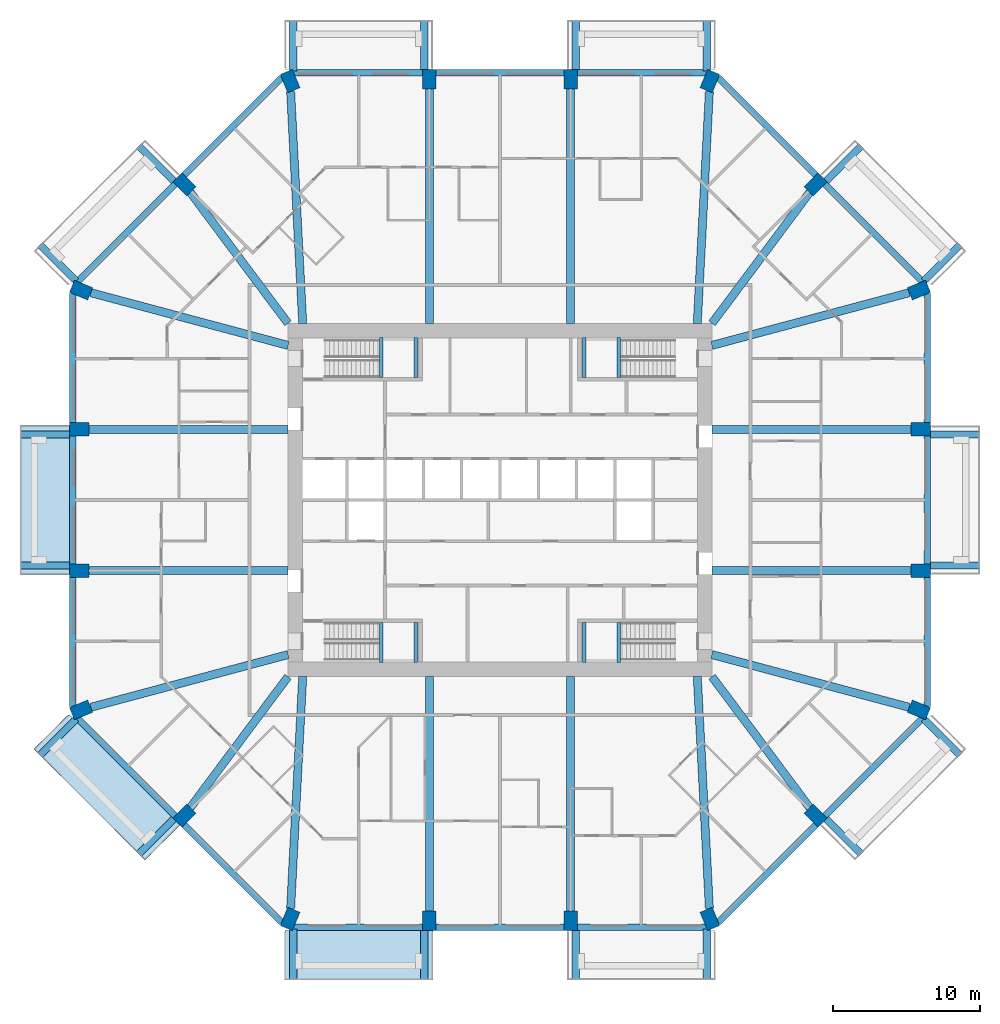
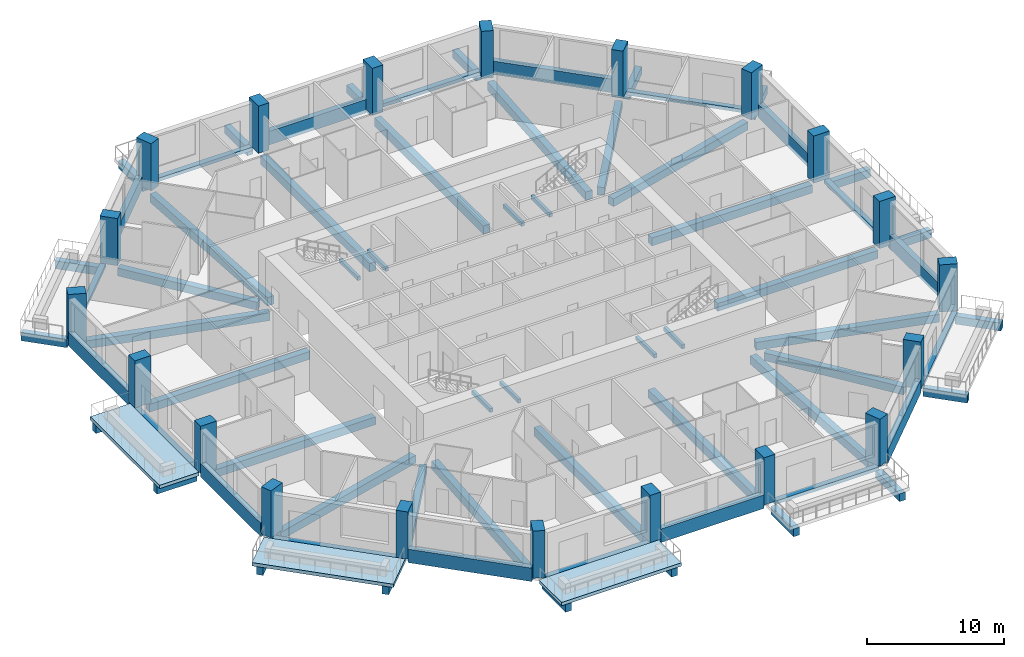
# One storey, part 1 of 13: 68 beams, 20 columns, 3 slabs.
"""IFC4 building model written with IfcOpenShell, lengths in metres."""

from ifc_helpers import new_model, si_unit, direction, frame, origin, origin_2d, place, context, subcontext, project, spatial, polyline, rectangle, outline, extrude, material, layer, layer_set, material_profile, profile_set, type_object, element, save


model = new_model("IFC4")

# Units and contexts
model_context = context("Model", 3, precision=1e-05, world=origin(), true_north=direction((0.0, 1.0)))
body_context = subcontext(model_context, "Body", "Model", "MODEL_VIEW")
ifc_project = project(units=[si_unit("LENGTHUNIT", "METRE"), si_unit("AREAUNIT", "SQUARE_METRE"), si_unit("VOLUMEUNIT", "CUBIC_METRE"), si_unit("PLANEANGLEUNIT", "RADIAN"), si_unit("MASSUNIT", "GRAM", prefix="KILO")], contexts=[model_context])

# Site, building, storey
site_placement = place(None, origin())
site = spatial("IfcSite", under=ifc_project, at=site_placement, CompositionType="ELEMENT")
building_placement = place(site_placement, origin())
building = spatial("IfcBuilding", under=site, at=building_placement, Name="Msitu Wima Residences", CompositionType="ELEMENT")
storey_placement = place(building_placement, frame((0.0, 0.0, 42.300048828125)))
storey = spatial("IfcBuildingStorey", under=building, at=storey_placement, Name="L09", CompositionType="ELEMENT", Elevation=42.300048828125)

# Columns
ifc_material_1 = material(Name="Concrete C80/95", Category="concrete")
ifc_material_profile_1 = material_profile(ifc_material_1, rectangle(XDim=0.89990234375, YDim=1.35009765625, at=origin_2d()), Name="RC 900x1350")
ifc_profile_set_1 = profile_set([ifc_material_profile_1], Name="Concrete C80/95")
column_type = type_object("IfcColumnType", Name="Column RC 900x1350 Concrete C80/95", PredefinedType="COLUMN", material=ifc_profile_set_1)
for number, where, z_axis, x_axis, name in (
    (1, (28.4541015625, -14.2568359375, 0.0), (0.0, 0.0, 1.0), (0.382683496864, 0.923879505795, 0.0), "Column L09 C-E0"),
    (2, (28.574951171875, -4.800048828125, 0.0), (0.0, 0.0, 1.0), (0.0, 1.0, 0.0), "Column L09 C-E1"),
    (3, (28.574951171875, 4.800048828125, 0.0), (0.0, 0.0, 1.0), (0.0, 1.0, 0.0), "Column L09 C-E2"),
    (4, (28.4541015625, 14.2568359375, 0.0), (0.0, 0.0, 1.0), (-0.382683496864, 0.923879505795, 0.0), "Column L09 C-NE0"),
    (5, (21.44091796875, 21.44091796875, 0.0), (0.0, 0.0, 1.0), (-0.707106781187, 0.707106781187, 0.0), "Column L09 C-NE1"),
    (6, (14.2568359375, 28.4541015625, 0.0), (0.0, 0.0, 1.0), (-0.923879505795, 0.382683496864, 0.0), "Column L09 C-N0"),
    (7, (4.800048828125, 28.574951171875, 0.0), (0.0, 0.0, 1.0), (-1.0, 0.0, 0.0), "Column L09 C-N1"),
    (8, (-4.800048828125, 28.574951171875, 0.0), (0.0, 0.0, 1.0), (-1.0, 0.0, 0.0), "Column L09 C-N2"),
    (9, (-14.2568359375, 28.4541015625, 0.0), (0.0, 0.0, 1.0), (-0.923879505795, -0.382683496864, 0.0), "Column L09 C-NW0"),
    (10, (-21.44091796875, 21.44091796875, 0.0), (0.0, 0.0, 1.0), (-0.707106781187, -0.707106781187, 0.0), "Column L09 C-NW1"),
    (11, (-28.4541015625, 14.2568359375, 0.0), (0.0, 0.0, 1.0), (-0.382683496864, -0.923879505795, 0.0), "Column L09 C-W0"),
    (12, (-28.574951171875, 4.800048828125, 0.0), (0.0, 0.0, 1.0), (0.0, -1.0, 0.0), "Column L09 C-W1"),
    (13, (-28.574951171875, -4.800048828125, 0.0), (0.0, 0.0, 1.0), (0.0, -1.0, 0.0), "Column L09 C-W2"),
    (14, (-28.4541015625, -14.2568359375, 0.0), (0.0, 0.0, 1.0), (0.382683496864, -0.923879505795, 0.0), "Column L09 C-SW0"),
    (15, (-21.44091796875, -21.44091796875, 0.0), (0.0, 0.0, 1.0), (0.707106781187, -0.707106781187, 0.0), "Column L09 C-SW1"),
    (16, (-14.2568359375, -28.4541015625, 0.0), (0.0, 0.0, 1.0), (0.923879505795, -0.382683496864, 0.0), "Column L09 C-S0"),
    (17, (-4.800048828125, -28.574951171875, 0.0), (0.0, 0.0, 1.0), (1.0, 0.0, 0.0), "Column L09 C-S1"),
    (18, (4.800048828125, -28.574951171875, 0.0), (0.0, 0.0, 1.0), (1.0, 0.0, 0.0), "Column L09 C-S2"),
    (19, (14.2568359375, -28.4541015625, 0.0), (0.0, 0.0, 1.0), (0.923879505795, 0.382683496864, 0.0), "Column L09 C-SE0"),
    (20, (21.44091796875, -21.44091796875, 0.0), (0.0, 0.0, 1.0), (0.707106781187, 0.707106781187, 0.0), "Column L09 C-SE1"),
):
    element("IfcColumn", number, at=place(storey_placement, frame(where, z_axis=z_axis, x_axis=x_axis)), inside=storey, type_object=column_type, Name=name, PredefinedType="COLUMN", context=body_context, shape_type="SweptSolid", body=[
        extrude(rectangle(XDim=0.89990234375, YDim=1.35009765625, at=origin_2d()), origin(), (0.0, 0.0, 1.0), 4.199951171875),
    ])

# Beams
ifc_material_2 = material(Name="Concrete C50/60", Category="concrete")
ifc_material_profile_2 = material_profile(ifc_material_2, rectangle(XDim=0.550048828125, YDim=0.699951171875, at=origin_2d()), Name="RC 550x700")
ifc_profile_set_2 = profile_set([ifc_material_profile_2], Name="Concrete C50/60")
beam_type_1 = type_object("IfcBeamType", Name="Beam RC 550x700 Concrete C50/60", PredefinedType="BEAM", material=ifc_profile_set_2)
beam_1_placement = place(storey_placement, frame((27.79638671875, -14.080810546875, -0.60009765625), z_axis=(-0.966081778408, 0.258236320891, 0.0), x_axis=(-0.258236320891, -0.966081778408, 0.0)))
element("IfcBeam", 21, at=beam_1_placement, inside=storey, type_object=beam_type_1, Name="Beam L09 C-E0", PredefinedType="BEAM", context=body_context, shape_type="SweptSolid", body=[
    extrude(rectangle(XDim=0.550048828125, YDim=0.699951171875, at=origin_2d()), origin(), (0.0, 0.0, 1.0), 13.878662109375),
])
for number, where, z_axis, x_axis, name in (
    (22, (27.89990234375, -4.800048828125, -0.60009765625), (-1.0, 0.0, 0.0), (0.0, -1.0, 0.0), "Beam L09 C-E1"),
    (23, (27.89990234375, 4.800048828125, -0.60009765625), (-1.0, 0.0, 0.0), (0.0, -1.0, 0.0), "Beam L09 C-E2"),
):
    element("IfcBeam", number, at=place(storey_placement, frame(where, z_axis=z_axis, x_axis=x_axis)), inside=storey, type_object=beam_type_1, Name=name, PredefinedType="BEAM", context=body_context, shape_type="SweptSolid", body=[
        extrude(rectangle(XDim=0.550048828125, YDim=0.699951171875, at=origin_2d()), origin(), (0.0, 0.0, 1.0), 13.5),
    ])
beam_2_placement = place(storey_placement, frame((27.79638671875, 14.080810546875, -0.60009765625), z_axis=(-0.966081778408, -0.258236320891, 0.0), x_axis=(0.258236320891, -0.966081778408, 0.0)))
element("IfcBeam", 24, at=beam_2_placement, inside=storey, type_object=beam_type_1, Name="Beam L09 C-NE0", PredefinedType="BEAM", context=body_context, shape_type="SweptSolid", body=[
    extrude(rectangle(XDim=0.550048828125, YDim=0.699951171875, at=origin_2d()), origin(), (0.0, 0.0, 1.0), 13.878662109375),
])
for number, where, z_axis, x_axis, name in (
    (25, (21.033203125, 20.89404296875, -0.60009765625), (-0.597850242031, -0.801607814398, 0.0), (0.801607814398, -0.597850242031, 0.0), "Beam L09 C-NE1"),
    (26, (-21.033203125, 20.89404296875, -0.60009765625), (0.597850242031, -0.801607814398, 0.0), (0.801607814398, 0.597850242031, 0.0), "Beam L09 C-NW1"),
):
    element("IfcBeam", number, at=place(storey_placement, frame(where, z_axis=z_axis, x_axis=x_axis)), inside=storey, type_object=beam_type_1, Name=name, PredefinedType="BEAM", context=body_context, shape_type="SweptSolid", body=[
        extrude(rectangle(XDim=0.550048828125, YDim=0.699951171875, at=origin_2d()), origin(), (0.0, 0.0, 1.0), 11.09521484375),
    ])
beam_3_placement = place(storey_placement, frame((-27.79638671875, 14.080810546875, -0.60009765625), z_axis=(0.966081778408, -0.258236320891, 0.0), x_axis=(0.258236320891, 0.966081778408, 0.0)))
element("IfcBeam", 27, at=beam_3_placement, inside=storey, type_object=beam_type_1, Name="Beam L09 C-W0", PredefinedType="BEAM", context=body_context, shape_type="SweptSolid", body=[
    extrude(rectangle(XDim=0.550048828125, YDim=0.699951171875, at=origin_2d()), origin(), (0.0, 0.0, 1.0), 13.878662109375),
])
for number, where, z_axis, x_axis, name in (
    (28, (-27.89990234375, 4.800048828125, -0.60009765625), (1.0, 0.0, 0.0), (0.0, 1.0, 0.0), "Beam L09 C-W1"),
    (29, (-27.89990234375, -4.800048828125, -0.60009765625), (1.0, 0.0, 0.0), (0.0, 1.0, 0.0), "Beam L09 C-W2"),
):
    element("IfcBeam", number, at=place(storey_placement, frame(where, z_axis=z_axis, x_axis=x_axis)), inside=storey, type_object=beam_type_1, Name=name, PredefinedType="BEAM", context=body_context, shape_type="SweptSolid", body=[
        extrude(rectangle(XDim=0.550048828125, YDim=0.699951171875, at=origin_2d()), origin(), (0.0, 0.0, 1.0), 13.5),
    ])
beam_4_placement = place(storey_placement, frame((-27.79638671875, -14.080810546875, -0.60009765625), z_axis=(0.966081778408, 0.258236320891, 0.0), x_axis=(-0.258236320891, 0.966081778408, 0.0)))
element("IfcBeam", 30, at=beam_4_placement, inside=storey, type_object=beam_type_1, Name="Beam L09 C-SW0", PredefinedType="BEAM", context=body_context, shape_type="SweptSolid", body=[
    extrude(rectangle(XDim=0.550048828125, YDim=0.699951171875, at=origin_2d()), origin(), (0.0, 0.0, 1.0), 13.878662109375),
])
for number, where, z_axis, x_axis, name in (
    (31, (-21.033203125, -20.89404296875, -0.60009765625), (0.597850242031, 0.801607814398, 0.0), (-0.801607814398, 0.597850242031, 0.0), "Beam L09 C-SW1"),
    (32, (21.033203125, -20.89404296875, -0.60009765625), (-0.597850242031, 0.801607814398, 0.0), (-0.801607814398, -0.597850242031, 0.0), "Beam L09 C-SE1"),
):
    element("IfcBeam", number, at=place(storey_placement, frame(where, z_axis=z_axis, x_axis=x_axis)), inside=storey, type_object=beam_type_1, Name=name, PredefinedType="BEAM", context=body_context, shape_type="SweptSolid", body=[
        extrude(rectangle(XDim=0.550048828125, YDim=0.699951171875, at=origin_2d()), origin(), (0.0, 0.0, 1.0), 11.09521484375),
    ])
ifc_material_profile_3 = material_profile(ifc_material_2, rectangle(XDim=0.550048828125, YDim=0.75, at=origin_2d()), Name="RC 550x750")
ifc_profile_set_3 = profile_set([ifc_material_profile_3], Name="Concrete C50/60")
beam_type_2 = type_object("IfcBeamType", Name="Beam RC 550x750 Concrete C50/60", PredefinedType="BEAM", material=ifc_profile_set_3)
beam_5_placement = place(storey_placement, frame((14.219482421875, 27.739013671875, -0.625), z_axis=(-0.05199418091, -0.998647387796, 0.0), x_axis=(0.998647387796, -0.05199418091, 0.0)))
element("IfcBeam", 33, at=beam_5_placement, inside=storey, type_object=beam_type_2, Name="Beam L09 C-N0", PredefinedType="BEAM", context=body_context, shape_type="SweptSolid", body=[
    extrude(rectangle(XDim=0.550048828125, YDim=0.75, at=origin_2d()), origin(), (0.0, 0.0, 1.0), 15.772216796875),
])
for number, where, z_axis, x_axis, name in (
    (34, (4.800048828125, 27.89990234375, -0.625), (0.0, -1.0, 0.0), (1.0, 0.0, 0.0), "Beam L09 C-N1"),
    (35, (-4.800048828125, 27.89990234375, -0.625), (0.0, -1.0, 0.0), (1.0, 0.0, 0.0), "Beam L09 C-N2"),
):
    element("IfcBeam", number, at=place(storey_placement, frame(where, z_axis=z_axis, x_axis=x_axis)), inside=storey, type_object=beam_type_2, Name=name, PredefinedType="BEAM", context=body_context, shape_type="SweptSolid", body=[
        extrude(rectangle(XDim=0.550048828125, YDim=0.75, at=origin_2d()), origin(), (0.0, 0.0, 1.0), 15.89990234375),
    ])
for number, where, z_axis, x_axis, name in (
    (36, (-14.219482421875, 27.739013671875, -0.625), (0.05199418091, -0.998647387796, 0.0), (0.998647387796, 0.05199418091, 0.0), "Beam L09 C-NW0"),
    (37, (-14.219482421875, -27.739013671875, -0.625), (0.05199418091, 0.998647387796, 0.0), (-0.998647387796, 0.05199418091, 0.0), "Beam L09 C-S0"),
):
    element("IfcBeam", number, at=place(storey_placement, frame(where, z_axis=z_axis, x_axis=x_axis)), inside=storey, type_object=beam_type_2, Name=name, PredefinedType="BEAM", context=body_context, shape_type="SweptSolid", body=[
        extrude(rectangle(XDim=0.550048828125, YDim=0.75, at=origin_2d()), origin(), (0.0, 0.0, 1.0), 15.772216796875),
    ])
for number, where, z_axis, x_axis, name in (
    (38, (-4.800048828125, -27.89990234375, -0.625), (0.0, 1.0, 0.0), (-1.0, 0.0, 0.0), "Beam L09 C-S1"),
    (39, (4.800048828125, -27.89990234375, -0.625), (0.0, 1.0, 0.0), (-1.0, 0.0, 0.0), "Beam L09 C-S2"),
):
    element("IfcBeam", number, at=place(storey_placement, frame(where, z_axis=z_axis, x_axis=x_axis)), inside=storey, type_object=beam_type_2, Name=name, PredefinedType="BEAM", context=body_context, shape_type="SweptSolid", body=[
        extrude(rectangle(XDim=0.550048828125, YDim=0.75, at=origin_2d()), origin(), (0.0, 0.0, 1.0), 15.89990234375),
    ])
beam_6_placement = place(storey_placement, frame((14.219482421875, -27.739013671875, -0.625), z_axis=(-0.05199418091, 0.998647387796, 0.0), x_axis=(-0.998647387796, -0.05199418091, 0.0)))
element("IfcBeam", 40, at=beam_6_placement, inside=storey, type_object=beam_type_2, Name="Beam L09 C-SE0", PredefinedType="BEAM", context=body_context, shape_type="SweptSolid", body=[
    extrude(rectangle(XDim=0.550048828125, YDim=0.75, at=origin_2d()), origin(), (0.0, 0.0, 1.0), 15.772216796875),
])
ifc_material_profile_4 = material_profile(ifc_material_2, rectangle(XDim=0.5, YDim=0.699951171875, at=origin_2d()), Name="RC 500x700")
ifc_profile_set_4 = profile_set([ifc_material_profile_4], Name="Concrete C50/60")
beam_type_3 = type_object("IfcBeamType", Name="Cantilever beam RC 500x700 Concrete C50/60", PredefinedType="BEAM", material=ifc_profile_set_4)
for number, where, z_axis, x_axis, name in (
    (41, (29.25, -4.449951171875, -0.650146484375), (1.0, 0.0, 0.0), (0.0, 1.0, 0.0), "Cantilever beam L09 BA-E1 A"),
    (42, (29.25, 4.449951171875, -0.650146484375), (1.0, 0.0, 0.0), (0.0, 1.0, 0.0), "Cantilever beam L09 BA-E1 B"),
):
    element("IfcBeam", number, at=place(storey_placement, frame(where, z_axis=z_axis, x_axis=x_axis)), inside=storey, type_object=beam_type_3, Name=name, PredefinedType="BEAM", context=body_context, shape_type="SweptSolid", body=[
        extrude(rectangle(XDim=0.5, YDim=0.699951171875, at=origin_2d()), origin(), (0.0, 0.0, 1.0), 3.35009765625),
    ])
beam_7_placement = place(storey_placement, frame((28.78662109375, 14.881591796875, -0.650146484375), z_axis=(0.707106781187, 0.707106781187, 0.0), x_axis=(-0.707106781187, 0.707106781187, 0.0)))
element("IfcBeam", 43, at=beam_7_placement, inside=storey, type_object=beam_type_3, Name="Cantilever beam L09 BA-NE0 A", PredefinedType="BEAM", context=body_context, shape_type="SweptSolid", body=[
    extrude(rectangle(XDim=0.5, YDim=0.699951171875, at=origin_2d()), origin(), (0.0, 0.0, 1.0), 3.468994140625),
])
beam_8_placement = place(storey_placement, frame((22.165771484375, 21.670654296875, -0.650146484375), z_axis=(0.707070340836, 0.707143219659, 0.0), x_axis=(-0.707143219659, 0.707070340836, 0.0)))
element("IfcBeam", 44, at=beam_8_placement, inside=storey, type_object=beam_type_3, Name="Cantilever beam L09 BA-NE0 B", PredefinedType="BEAM", context=body_context, shape_type="SweptSolid", body=[
    extrude(rectangle(XDim=0.5, YDim=0.699951171875, at=origin_2d()), origin(), (0.0, 0.0, 1.0), 3.349853515625),
])
beam_9_placement = place(storey_placement, frame((14.050048828125, 29.130859375, -0.650146484375), z_axis=(0.0, 1.0, 0.0), x_axis=(-1.0, 0.0, 0.0)))
element("IfcBeam", 45, at=beam_9_placement, inside=storey, type_object=beam_type_3, Name="Cantilever beam L09 BA-N0 A", PredefinedType="BEAM", context=body_context, shape_type="SweptSolid", body=[
    extrude(rectangle(XDim=0.5, YDim=0.699951171875, at=origin_2d()), origin(), (0.0, 0.0, 1.0), 3.46923828125),
])
for number, where, z_axis, x_axis, name in (
    (46, (5.14990234375, 29.25, -0.650146484375), (0.0, 1.0, 0.0), (-1.0, 0.0, 0.0), "Cantilever beam L09 BA-N0 B"),
    (47, (-5.14990234375, 29.25, -0.650146484375), (0.0, 1.0, 0.0), (-1.0, 0.0, 0.0), "Cantilever beam L09 BA-N2 A"),
):
    element("IfcBeam", number, at=place(storey_placement, frame(where, z_axis=z_axis, x_axis=x_axis)), inside=storey, type_object=beam_type_3, Name=name, PredefinedType="BEAM", context=body_context, shape_type="SweptSolid", body=[
        extrude(rectangle(XDim=0.5, YDim=0.699951171875, at=origin_2d()), origin(), (0.0, 0.0, 1.0), 3.35009765625),
    ])
beam_10_placement = place(storey_placement, frame((-14.050048828125, 29.130859375, -0.650146484375), z_axis=(0.0, 1.0, 0.0), x_axis=(-1.0, 0.0, 0.0)))
element("IfcBeam", 48, at=beam_10_placement, inside=storey, type_object=beam_type_3, Name="Cantilever beam L09 BA-N2 B", PredefinedType="BEAM", context=body_context, shape_type="SweptSolid", body=[
    extrude(rectangle(XDim=0.5, YDim=0.699951171875, at=origin_2d()), origin(), (0.0, 0.0, 1.0), 3.46923828125),
])
beam_11_placement = place(storey_placement, frame((-22.165771484375, 21.670654296875, -0.650146484375), z_axis=(-0.707070340836, 0.707143219659, 0.0), x_axis=(-0.707143219659, -0.707070340836, 0.0)))
element("IfcBeam", 49, at=beam_11_placement, inside=storey, type_object=beam_type_3, Name="Cantilever beam L09 BA-NW1 A", PredefinedType="BEAM", context=body_context, shape_type="SweptSolid", body=[
    extrude(rectangle(XDim=0.5, YDim=0.699951171875, at=origin_2d()), origin(), (0.0, 0.0, 1.0), 3.349853515625),
])
beam_12_placement = place(storey_placement, frame((-28.78662109375, 14.881591796875, -0.650146484375), z_axis=(-0.707106781187, 0.707106781187, 0.0), x_axis=(-0.707106781187, -0.707106781187, 0.0)))
element("IfcBeam", 50, at=beam_12_placement, inside=storey, type_object=beam_type_3, Name="Cantilever beam L09 BA-NW1 B", PredefinedType="BEAM", context=body_context, shape_type="SweptSolid", body=[
    extrude(rectangle(XDim=0.5, YDim=0.699951171875, at=origin_2d()), origin(), (0.0, 0.0, 1.0), 3.468994140625),
])
for number, where, z_axis, x_axis, name in (
    (51, (-29.25, 4.449951171875, -0.650146484375), (-1.0, 0.0, 0.0), (0.0, -1.0, 0.0), "Cantilever beam L09 BA-W1 A"),
    (52, (-29.25, -4.449951171875, -0.650146484375), (-1.0, 0.0, 0.0), (0.0, -1.0, 0.0), "Cantilever beam L09 BA-W1 B"),
):
    element("IfcBeam", number, at=place(storey_placement, frame(where, z_axis=z_axis, x_axis=x_axis)), inside=storey, type_object=beam_type_3, Name=name, PredefinedType="BEAM", context=body_context, shape_type="SweptSolid", body=[
        extrude(rectangle(XDim=0.5, YDim=0.699951171875, at=origin_2d()), origin(), (0.0, 0.0, 1.0), 3.35009765625),
    ])
beam_13_placement = place(storey_placement, frame((-28.78662109375, -14.881591796875, -0.650146484375), z_axis=(-0.707106781187, -0.707106781187, 0.0), x_axis=(0.707106781187, -0.707106781187, 0.0)))
element("IfcBeam", 53, at=beam_13_placement, inside=storey, type_object=beam_type_3, Name="Cantilever beam L09 BA-SW0 A", PredefinedType="BEAM", context=body_context, shape_type="SweptSolid", body=[
    extrude(rectangle(XDim=0.5, YDim=0.699951171875, at=origin_2d()), origin(), (0.0, 0.0, 1.0), 3.468994140625),
])
beam_14_placement = place(storey_placement, frame((-22.165771484375, -21.670654296875, -0.650146484375), z_axis=(-0.707070340836, -0.707143219659, 0.0), x_axis=(0.707143219659, -0.707070340836, 0.0)))
element("IfcBeam", 54, at=beam_14_placement, inside=storey, type_object=beam_type_3, Name="Cantilever beam L09 BA-SW0 B", PredefinedType="BEAM", context=body_context, shape_type="SweptSolid", body=[
    extrude(rectangle(XDim=0.5, YDim=0.699951171875, at=origin_2d()), origin(), (0.0, 0.0, 1.0), 3.349853515625),
])
beam_15_placement = place(storey_placement, frame((-14.050048828125, -29.130859375, -0.650146484375), z_axis=(0.0, -1.0, 0.0), x_axis=(1.0, 0.0, 0.0)))
element("IfcBeam", 55, at=beam_15_placement, inside=storey, type_object=beam_type_3, Name="Cantilever beam L09 BA-S0 A", PredefinedType="BEAM", context=body_context, shape_type="SweptSolid", body=[
    extrude(rectangle(XDim=0.5, YDim=0.699951171875, at=origin_2d()), origin(), (0.0, 0.0, 1.0), 3.46923828125),
])
for number, where, z_axis, x_axis, name in (
    (56, (-5.14990234375, -29.25, -0.650146484375), (0.0, -1.0, 0.0), (1.0, 0.0, 0.0), "Cantilever beam L09 BA-S0 B"),
    (57, (5.14990234375, -29.25, -0.650146484375), (0.0, -1.0, 0.0), (1.0, 0.0, 0.0), "Cantilever beam L09 BA-S2 A"),
):
    element("IfcBeam", number, at=place(storey_placement, frame(where, z_axis=z_axis, x_axis=x_axis)), inside=storey, type_object=beam_type_3, Name=name, PredefinedType="BEAM", context=body_context, shape_type="SweptSolid", body=[
        extrude(rectangle(XDim=0.5, YDim=0.699951171875, at=origin_2d()), origin(), (0.0, 0.0, 1.0), 3.35009765625),
    ])
beam_16_placement = place(storey_placement, frame((14.050048828125, -29.130859375, -0.650146484375), z_axis=(0.0, -1.0, 0.0), x_axis=(1.0, 0.0, 0.0)))
element("IfcBeam", 58, at=beam_16_placement, inside=storey, type_object=beam_type_3, Name="Cantilever beam L09 BA-S2 B", PredefinedType="BEAM", context=body_context, shape_type="SweptSolid", body=[
    extrude(rectangle(XDim=0.5, YDim=0.699951171875, at=origin_2d()), origin(), (0.0, 0.0, 1.0), 3.46923828125),
])
beam_17_placement = place(storey_placement, frame((22.165771484375, -21.670654296875, -0.650146484375), z_axis=(0.707070340836, -0.707143219659, 0.0), x_axis=(0.707143219659, 0.707070340836, 0.0)))
element("IfcBeam", 59, at=beam_17_placement, inside=storey, type_object=beam_type_3, Name="Cantilever beam L09 BA-SE1 A", PredefinedType="BEAM", context=body_context, shape_type="SweptSolid", body=[
    extrude(rectangle(XDim=0.5, YDim=0.699951171875, at=origin_2d()), origin(), (0.0, 0.0, 1.0), 3.349853515625),
])
beam_18_placement = place(storey_placement, frame((28.78662109375, -14.881591796875, -0.650146484375), z_axis=(0.707106781187, -0.707106781187, 0.0), x_axis=(0.707106781187, 0.707106781187, 0.0)))
element("IfcBeam", 60, at=beam_18_placement, inside=storey, type_object=beam_type_3, Name="Cantilever beam L09 BA-SE1 B", PredefinedType="BEAM", context=body_context, shape_type="SweptSolid", body=[
    extrude(rectangle(XDim=0.5, YDim=0.699951171875, at=origin_2d()), origin(), (0.0, 0.0, 1.0), 3.468994140625),
])
ifc_material_profile_5 = material_profile(ifc_material_2, rectangle(XDim=0.449951171875, YDim=0.300048828125, at=origin_2d()), Name="RC 450x300")
ifc_profile_set_5 = profile_set([ifc_material_profile_5], Name="Concrete C50/60")
beam_type_4 = type_object("IfcBeamType", Name="Edge beam RC 450x300 Concrete C50/60", PredefinedType="SPANDREL", material=ifc_profile_set_5)
beam_19_placement = place(storey_placement, frame((29.02490234375, -4.35009765625, -0.150146484375), z_axis=(0.0, 1.0, 0.0), x_axis=(-1.0, 0.0, 0.0)))
element("IfcBeam", 61, at=beam_19_placement, inside=storey, type_object=beam_type_4, Name="Spandrel L09 E1", PredefinedType="SPANDREL", context=body_context, shape_type="SweptSolid", body=[
    extrude(rectangle(XDim=0.449951171875, YDim=0.300048828125, at=origin_2d()), origin(), (0.0, 0.0, 1.0), 8.7001953125),
])
beam_20_placement = place(storey_placement, frame((28.68896484375, 14.8291015625, -0.150146484375), z_axis=(-0.707093725903, 0.707119836229, 0.0), x_axis=(-0.707119836229, -0.707093725903, 0.0)))
element("IfcBeam", 62, at=beam_20_placement, inside=storey, type_object=beam_type_4, Name="Spandrel L09 NE0", PredefinedType="SPANDREL", context=body_context, shape_type="SweptSolid", body=[
    extrude(rectangle(XDim=0.449951171875, YDim=0.300048828125, at=origin_2d()), origin(), (0.0, 0.0, 1.0), 9.350341796875),
])
for number, where, z_axis, x_axis, name in (
    (63, (14.01806640625, 29.02490234375, -0.150146484375), (-1.0, 0.0, 0.0), (0.0, -1.0, 0.0), "Spandrel L09 N0"),
    (64, (-5.25, 29.02490234375, -0.150146484375), (-1.0, 0.0, 0.0), (0.0, -1.0, 0.0), "Spandrel L09 N2"),
):
    element("IfcBeam", number, at=place(storey_placement, frame(where, z_axis=z_axis, x_axis=x_axis)), inside=storey, type_object=beam_type_4, Name=name, PredefinedType="SPANDREL", context=body_context, shape_type="SweptSolid", body=[
        extrude(rectangle(XDim=0.449951171875, YDim=0.300048828125, at=origin_2d()), origin(), (0.0, 0.0, 1.0), 8.76806640625),
    ])
beam_21_placement = place(storey_placement, frame((-22.077392578125, 21.44091796875, -0.150146484375), z_axis=(-0.707093725903, -0.707119836229, 0.0), x_axis=(0.707119836229, -0.707093725903, 0.0)))
element("IfcBeam", 65, at=beam_21_placement, inside=storey, type_object=beam_type_4, Name="Spandrel L09 NW1", PredefinedType="SPANDREL", context=body_context, shape_type="SweptSolid", body=[
    extrude(rectangle(XDim=0.449951171875, YDim=0.300048828125, at=origin_2d()), origin(), (0.0, 0.0, 1.0), 9.350341796875),
])
beam_22_placement = place(storey_placement, frame((-29.02490234375, 4.35009765625, -0.150146484375), z_axis=(0.0, -1.0, 0.0), x_axis=(1.0, 0.0, 0.0)))
element("IfcBeam", 66, at=beam_22_placement, inside=storey, type_object=beam_type_4, Name="Spandrel L09 W1", PredefinedType="SPANDREL", context=body_context, shape_type="SweptSolid", body=[
    extrude(rectangle(XDim=0.449951171875, YDim=0.300048828125, at=origin_2d()), origin(), (0.0, 0.0, 1.0), 8.7001953125),
])
beam_23_placement = place(storey_placement, frame((-28.68896484375, -14.8291015625, -0.150146484375), z_axis=(0.707093725903, -0.707119836229, 0.0), x_axis=(0.707119836229, 0.707093725903, 0.0)))
element("IfcBeam", 67, at=beam_23_placement, inside=storey, type_object=beam_type_4, Name="Spandrel L09 SW0", PredefinedType="SPANDREL", context=body_context, shape_type="SweptSolid", body=[
    extrude(rectangle(XDim=0.449951171875, YDim=0.300048828125, at=origin_2d()), origin(), (0.0, 0.0, 1.0), 9.350341796875),
])
for number, where, z_axis, x_axis, name in (
    (68, (-14.01806640625, -29.02490234375, -0.150146484375), (1.0, 0.0, 0.0), (0.0, 1.0, 0.0), "Spandrel L09 S0"),
    (69, (5.25, -29.02490234375, -0.150146484375), (1.0, 0.0, 0.0), (0.0, 1.0, 0.0), "Spandrel L09 S2"),
):
    element("IfcBeam", number, at=place(storey_placement, frame(where, z_axis=z_axis, x_axis=x_axis)), inside=storey, type_object=beam_type_4, Name=name, PredefinedType="SPANDREL", context=body_context, shape_type="SweptSolid", body=[
        extrude(rectangle(XDim=0.449951171875, YDim=0.300048828125, at=origin_2d()), origin(), (0.0, 0.0, 1.0), 8.76806640625),
    ])
beam_24_placement = place(storey_placement, frame((22.077392578125, -21.44091796875, -0.150146484375), z_axis=(0.707093725903, 0.707119836229, 0.0), x_axis=(-0.707119836229, 0.707093725903, 0.0)))
element("IfcBeam", 70, at=beam_24_placement, inside=storey, type_object=beam_type_4, Name="Spandrel L09 SE1", PredefinedType="SPANDREL", context=body_context, shape_type="SweptSolid", body=[
    extrude(rectangle(XDim=0.449951171875, YDim=0.300048828125, at=origin_2d()), origin(), (0.0, 0.0, 1.0), 9.350341796875),
])
ifc_material_3 = material(Name="Concrete C40/50", Category="concrete")
ifc_material_profile_6 = material_profile(ifc_material_3, rectangle(XDim=0.25, YDim=0.35009765625, at=origin_2d()), Name="RC 250x350")
ifc_profile_set_6 = profile_set([ifc_material_profile_6], Name="Concrete C40/50")
beam_type_5 = type_object("IfcBeamType", Name="Landing beam RC 250x350", PredefinedType="BEAM", material=ifc_profile_set_6)
for number, where, z_axis, x_axis, name in (
    (71, (-8.074951171875, 8.324951171875, 1.724853515625), (0.0, 1.0, 0.0), (-1.0, 0.0, 0.0), "Stair 1 landing beam"),
    (72, (-5.72509765625, 8.324951171875, 1.724853515625), (0.0, 1.0, 0.0), (-1.0, 0.0, 0.0), "Stair 1 landing beam"),
    (73, (-8.074951171875, -11.02490234375, 1.724853515625), (0.0, 1.0, 0.0), (-1.0, 0.0, 0.0), "Stair 2 landing beam"),
    (74, (-5.72509765625, -11.02490234375, 1.724853515625), (0.0, 1.0, 0.0), (-1.0, 0.0, 0.0), "Stair 2 landing beam"),
    (75, (8.074951171875, 8.324951171875, 1.724853515625), (0.0, 1.0, 0.0), (-1.0, 0.0, 0.0), "Stair 3 landing beam"),
    (76, (5.72509765625, 8.324951171875, 1.724853515625), (0.0, 1.0, 0.0), (-1.0, 0.0, 0.0), "Stair 3 landing beam"),
    (77, (8.074951171875, -11.02490234375, 1.724853515625), (0.0, 1.0, 0.0), (-1.0, 0.0, 0.0), "Stair 4 landing beam"),
    (78, (5.72509765625, -11.02490234375, 1.724853515625), (0.0, 1.0, 0.0), (-1.0, 0.0, 0.0), "Stair 4 landing beam"),
):
    element("IfcBeam", number, at=place(storey_placement, frame(where, z_axis=z_axis, x_axis=x_axis)), inside=storey, type_object=beam_type_5, Name=name, PredefinedType="BEAM", context=body_context, shape_type="SweptSolid", body=[
        extrude(rectangle(XDim=0.25, YDim=0.35009765625, at=origin_2d()), origin(), (0.0, 0.0, 1.0), 2.699951171875),
    ])
ifc_material_profile_7 = material_profile(ifc_material_2, rectangle(XDim=0.449951171875, YDim=1.199951171875, at=origin_2d()), Name="RC 450x1200")
ifc_profile_set_7 = profile_set([ifc_material_profile_7], Name="Concrete C50/60")
beam_type_6 = type_object("IfcBeamType", Name="Spandrel RC 450x1200 Concrete C50/60", PredefinedType="SPANDREL", material=ifc_profile_set_7)
for number, where, z_axis, x_axis, name in (
    (79, (29.02490234375, -14.01806640625, 0.300048828125), (0.0, 1.0, 0.0), (-1.0, 0.0, 0.0), "Spandrel L09 E0"),
    (80, (29.02490234375, 5.25, 0.300048828125), (0.0, 1.0, 0.0), (-1.0, 0.0, 0.0), "Spandrel L09 E2"),
):
    element("IfcBeam", number, at=place(storey_placement, frame(where, z_axis=z_axis, x_axis=x_axis)), inside=storey, type_object=beam_type_6, Name=name, PredefinedType="SPANDREL", context=body_context, shape_type="SweptSolid", body=[
        extrude(rectangle(XDim=0.449951171875, YDim=1.199951171875, at=origin_2d()), origin(), (0.0, 0.0, 1.0), 8.76806640625),
    ])
beam_25_placement = place(storey_placement, frame((21.44091796875, 22.077392578125, 0.300048828125), z_axis=(-0.707119836229, 0.707093725903, 0.0), x_axis=(-0.707093725903, -0.707119836229, 0.0)))
element("IfcBeam", 81, at=beam_25_placement, inside=storey, type_object=beam_type_6, Name="Spandrel L09 NE1", PredefinedType="SPANDREL", context=body_context, shape_type="SweptSolid", body=[
    extrude(rectangle(XDim=0.449951171875, YDim=1.199951171875, at=origin_2d()), origin(), (0.0, 0.0, 1.0), 9.350341796875),
])
beam_26_placement = place(storey_placement, frame((4.35009765625, 29.02490234375, 0.300048828125), z_axis=(-1.0, 0.0, 0.0), x_axis=(0.0, -1.0, 0.0)))
element("IfcBeam", 82, at=beam_26_placement, inside=storey, type_object=beam_type_6, Name="Spandrel L09 N1", PredefinedType="SPANDREL", context=body_context, shape_type="SweptSolid", body=[
    extrude(rectangle(XDim=0.449951171875, YDim=1.199951171875, at=origin_2d()), origin(), (0.0, 0.0, 1.0), 8.7001953125),
])
beam_27_placement = place(storey_placement, frame((-14.8291015625, 28.68896484375, 0.300048828125), z_axis=(-0.707119836229, -0.707093725903, 0.0), x_axis=(0.707093725903, -0.707119836229, 0.0)))
element("IfcBeam", 83, at=beam_27_placement, inside=storey, type_object=beam_type_6, Name="Spandrel L09 NW0", PredefinedType="SPANDREL", context=body_context, shape_type="SweptSolid", body=[
    extrude(rectangle(XDim=0.449951171875, YDim=1.199951171875, at=origin_2d()), origin(), (0.0, 0.0, 1.0), 9.350341796875),
])
for number, where, z_axis, x_axis, name in (
    (84, (-29.02490234375, 14.01806640625, 0.300048828125), (0.0, -1.0, 0.0), (1.0, 0.0, 0.0), "Spandrel L09 W0"),
    (85, (-29.02490234375, -5.25, 0.300048828125), (0.0, -1.0, 0.0), (1.0, 0.0, 0.0), "Spandrel L09 W2"),
):
    element("IfcBeam", number, at=place(storey_placement, frame(where, z_axis=z_axis, x_axis=x_axis)), inside=storey, type_object=beam_type_6, Name=name, PredefinedType="SPANDREL", context=body_context, shape_type="SweptSolid", body=[
        extrude(rectangle(XDim=0.449951171875, YDim=1.199951171875, at=origin_2d()), origin(), (0.0, 0.0, 1.0), 8.76806640625),
    ])
beam_28_placement = place(storey_placement, frame((-21.44091796875, -22.077392578125, 0.300048828125), z_axis=(0.707119836229, -0.707093725903, 0.0), x_axis=(0.707093725903, 0.707119836229, 0.0)))
element("IfcBeam", 86, at=beam_28_placement, inside=storey, type_object=beam_type_6, Name="Spandrel L09 SW1", PredefinedType="SPANDREL", context=body_context, shape_type="SweptSolid", body=[
    extrude(rectangle(XDim=0.449951171875, YDim=1.199951171875, at=origin_2d()), origin(), (0.0, 0.0, 1.0), 9.350341796875),
])
beam_29_placement = place(storey_placement, frame((-4.35009765625, -29.02490234375, 0.300048828125), z_axis=(1.0, 0.0, 0.0), x_axis=(0.0, 1.0, 0.0)))
element("IfcBeam", 87, at=beam_29_placement, inside=storey, type_object=beam_type_6, Name="Spandrel L09 S1", PredefinedType="SPANDREL", context=body_context, shape_type="SweptSolid", body=[
    extrude(rectangle(XDim=0.449951171875, YDim=1.199951171875, at=origin_2d()), origin(), (0.0, 0.0, 1.0), 8.7001953125),
])
beam_30_placement = place(storey_placement, frame((14.8291015625, -28.68896484375, 0.300048828125), z_axis=(0.707119836229, 0.707093725903, 0.0), x_axis=(-0.707093725903, 0.707119836229, 0.0)))
element("IfcBeam", 88, at=beam_30_placement, inside=storey, type_object=beam_type_6, Name="Spandrel L09 SE0", PredefinedType="SPANDREL", context=body_context, shape_type="SweptSolid", body=[
    extrude(rectangle(XDim=0.449951171875, YDim=1.199951171875, at=origin_2d()), origin(), (0.0, 0.0, 1.0), 9.350341796875),
])

# Slabs
ifc_layer = layer(ifc_material_3, 0.300048828125)
ifc_layer_set = layer_set([ifc_layer], Name="Concrete C40/50")
slab_type = type_object("IfcSlabType", Name="Balcony slab BS300", PredefinedType="FLOOR", material=ifc_layer_set)
slab_1_placement = place(storey_placement, frame((0.0, 0.0, -0.300048828125)))
element("IfcSlab", 89, at=slab_1_placement, inside=storey, type_object=slab_type, Name="Balcony W1 L09", PredefinedType="FLOOR", context=body_context, shape_type="SweptSolid", body=[
    extrude(outline(polyline([(-29.25, 4.35009765625), (-29.25, -4.35009765625), (-29.25, -5.050048828125), (-32.60009765625, -5.050048828125), (-32.60009765625, 5.050048828125), (-29.25, 5.050048828125), (-29.25, 4.35009765625)])), origin(), (0.0, 0.0, 1.0), 0.300048828125),
])
slab_2_placement = place(storey_placement, frame((0.0, 0.0, -0.300048828125)))
element("IfcSlab", 90, at=slab_2_placement, inside=storey, type_object=slab_type, Name="Balcony SW0 L09", PredefinedType="FLOOR", context=body_context, shape_type="SweptSolid", body=[
    extrude(outline(polyline([(-24.1103515625, -24.4638671875), (-31.663818359375, -16.91015625), (-29.403564453125, -14.64990234375), (-29.25, -14.58642578125), (-21.741455078125, -22.094970703125), (-24.1103515625, -24.4638671875)])), origin(), (0.0, 0.0, 1.0), 0.300048828125),
])
slab_3_placement = place(storey_placement, frame((0.0, 0.0, -0.300048828125)))
element("IfcSlab", 91, at=slab_3_placement, inside=storey, type_object=slab_type, Name="Balcony S0 L09", PredefinedType="FLOOR", context=body_context, shape_type="SweptSolid", body=[
    extrude(outline(polyline([(-14.099365234375, -29.25), (-14.099365234375, -29.25), (-5.25, -29.25), (-4.550048828125, -29.25), (-4.550048828125, -32.60009765625), (-14.64990234375, -32.60009765625), (-14.64990234375, -29.403564453125), (-14.58642578125, -29.25), (-14.099365234375, -29.25), (-14.099365234375, -29.25)])), origin(), (0.0, 0.0, 1.0), 0.300048828125),
])

save(model, "model.ifc")
